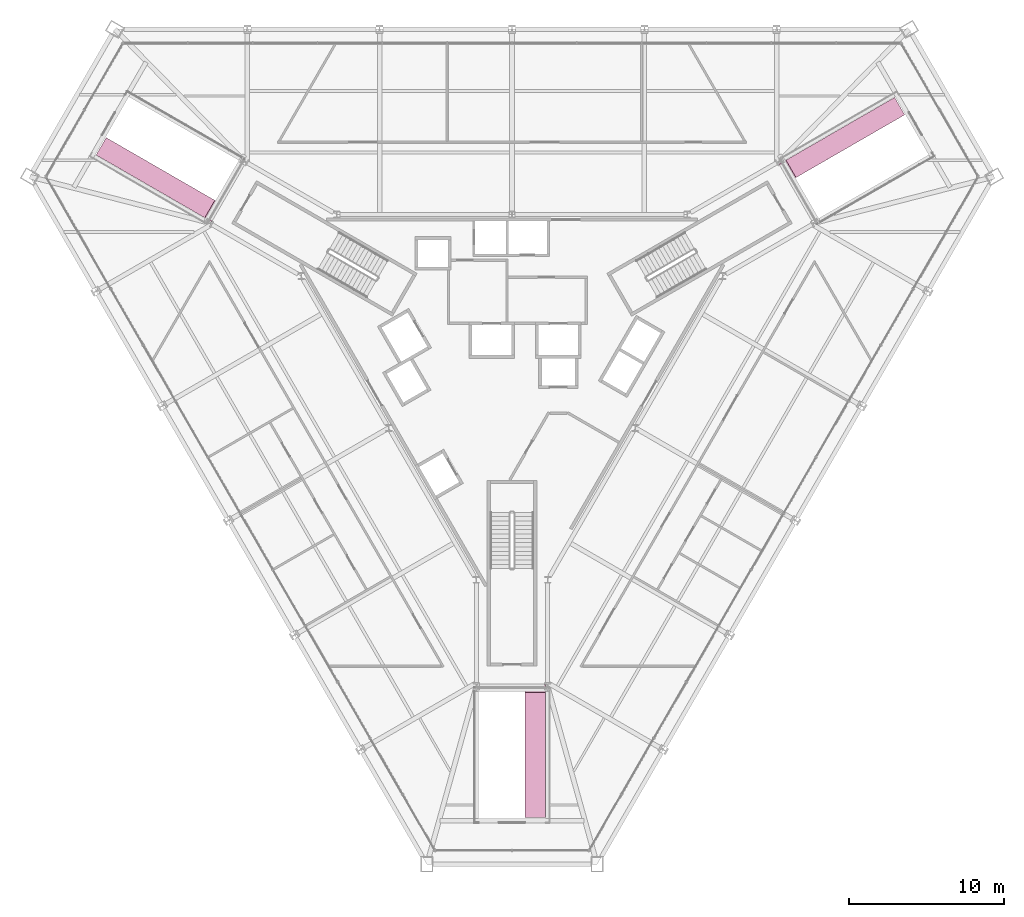
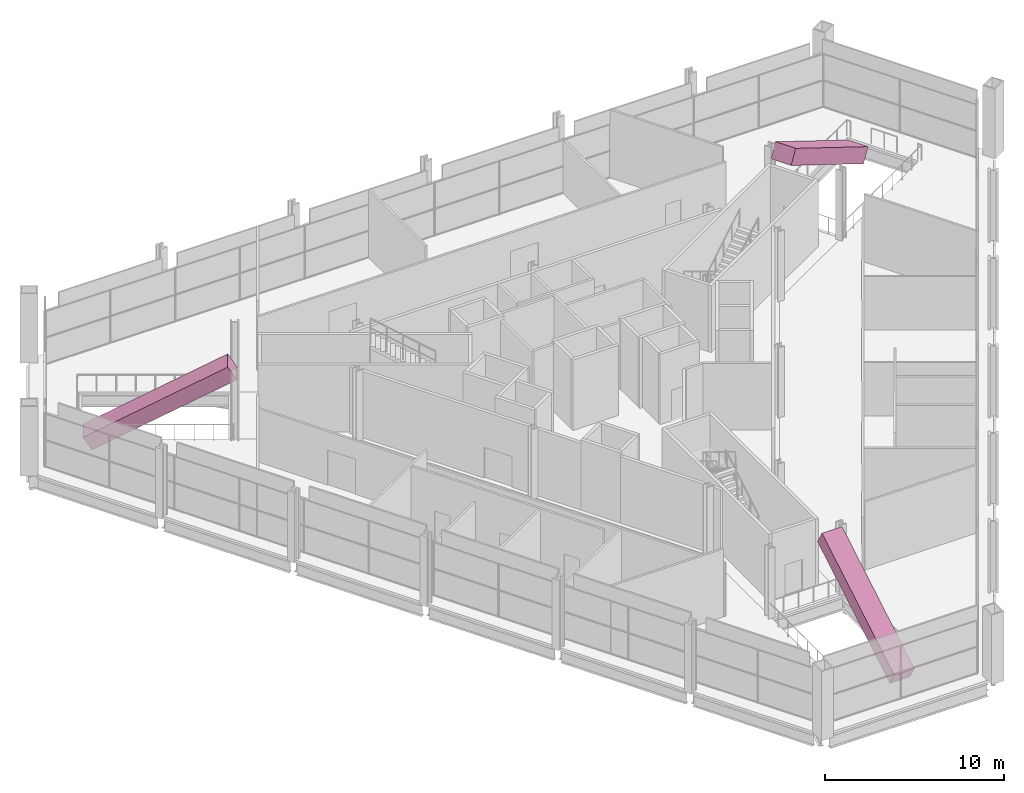
# One storey, part 18 of 18: 3 transport elements.
"""IFC4 building model written with IfcOpenShell, lengths in metres."""

from ifc_helpers import new_model, si_unit, direction, frame, origin, place, context, subcontext, project, spatial, polyline, outline, extrude, material, type_object, element, save


model = new_model("IFC4")

# Units and contexts
model_context = context("Model", 3, precision=1e-05, world=origin(), true_north=direction((0.0, 1.0)))
body_context = subcontext(model_context, "Body", "Model", "MODEL_VIEW")
ifc_project = project(units=[si_unit("LENGTHUNIT", "METRE"), si_unit("AREAUNIT", "SQUARE_METRE"), si_unit("VOLUMEUNIT", "CUBIC_METRE"), si_unit("PLANEANGLEUNIT", "RADIAN"), si_unit("MASSUNIT", "GRAM", prefix="KILO")], contexts=[model_context])

# Site, building, storey
site_placement = place(None, origin())
site = spatial("IfcSite", under=ifc_project, at=site_placement, CompositionType="ELEMENT")
building_placement = place(site_placement, origin())
building = spatial("IfcBuilding", under=site, at=building_placement, Name="Verrane Prism Tower", CompositionType="ELEMENT")
storey_placement = place(building_placement, frame((0.0, 0.0, 27.199951171875)))
storey = spatial("IfcBuildingStorey", under=building, at=storey_placement, Name="L04", CompositionType="ELEMENT", Elevation=27.199951171875)

# Transport elements
ifc_material = material(Name="Painted steel escalator truss", Category="steel")
transport_element_type = type_object("IfcTransportElementType", Name="ESC-1300 escalator truss 1000 deep", PredefinedType="ESCALATOR", material=ifc_material)
transport_element_1_placement = place(storey_placement, frame((25.382568359375, 15.63623046875, 0.0), z_axis=(0.441079210171, 0.254709733641, 0.860564978339), x_axis=(-0.745262299837, -0.430297789087, 0.509340669049)))
element("IfcTransportElement", 1, at=transport_element_1_placement, inside=storey, type_object=transport_element_type, Name="Escalator EW1 L04 to L05", PredefinedType="ESCALATOR", context=body_context, shape_type="SweptSolid", body=[
    extrude(outline(polyline([(0.0, 0.0), (9.424096438633269, -4.2609145378680324e-17), (9.424120877402084, -1.3001975499440426), (0.00012949193997896513, -1.299986122645476), (0.0, 0.0)])), origin(), (0.0, 0.0, -1.0), 1.0),
])
transport_element_2_placement = place(storey_placement, frame((-26.232421875, 14.163818359375, 0.0), z_axis=(-0.441069709541, 0.254731866516, 0.86056329663), x_axis=(0.745272062645, -0.430277519761, 0.509343507497)))
element("IfcTransportElement", 2, at=transport_element_2_placement, inside=storey, type_object=transport_element_type, Name="Escalator EW2 L04 to L05", PredefinedType="ESCALATOR", context=body_context, shape_type="SweptSolid", body=[
    extrude(outline(polyline([(0.0, 0.0), (9.423991387885081, -2.1250362580715887e-17), (9.423832730851915, -1.2999861197850042), (-0.00015865703316675361, -1.2999861197850042), (0.0, 0.0)])), origin(), (0.0, 0.0, -1.0), 1.0),
])
transport_element_3_placement = place(storey_placement, frame((0.85009765625, -29.800048828125, 0.0), z_axis=(0.0, -0.509335772549, 0.860567876929), x_axis=(0.0, 0.860567876929, 0.509335772549)))
element("IfcTransportElement", 3, at=transport_element_3_placement, inside=storey, type_object=transport_element_type, Name="Escalator EW3 L04 to L05", PredefinedType="ESCALATOR", context=body_context, shape_type="SweptSolid", body=[
    extrude(outline(polyline([(0.0, 0.0), (9.424134503854248, 0.0), (9.424134503854248, -1.2998046875), (0.0, -1.2998046875), (0.0, 0.0)])), origin(), (0.0, 0.0, -1.0), 1.0),
])

save(model, "model.ifc")
